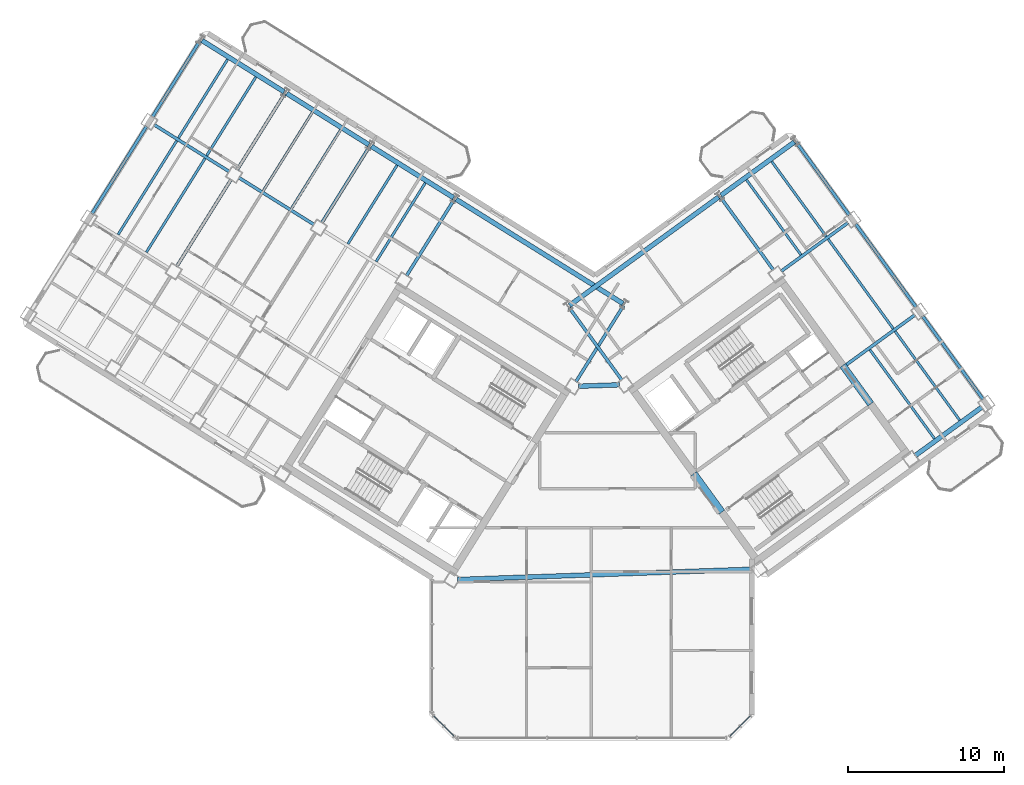
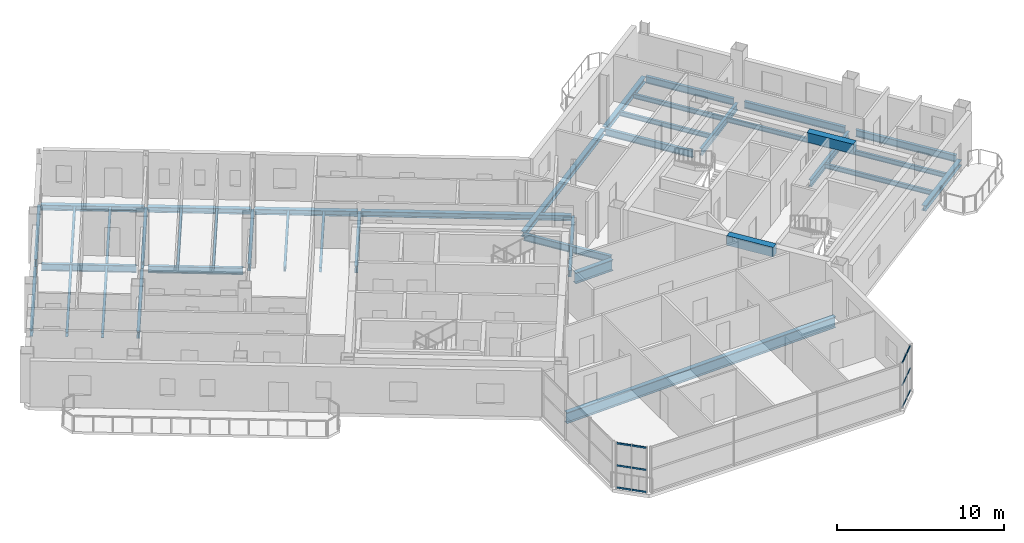
# One storey, part 7 of 20: 40 beams, 12 members, 2 elements without a shape of their own.
"""IFC4 building model written with IfcOpenShell, lengths in metres."""

import ifcopenshell
import ifcopenshell.guid

model = None  # the IFC model being written
_history = None  # IfcOwnerHistory: only IFC2X3 demands one
_inside = {}  # id of a spatial element -> (the spatial element, [elements in it])
_under = {}  # id of a project, library or spatial element -> (it, [spatial elements below it])
_declared = {}  # id of a project -> (the project, [libraries it declares])
_typed = {}  # id of a type object -> (the type object, [elements of that type])
_made_of = {}  # id of a material, layer set ... -> (it, [elements and type objects made of it])


def new_model(schema):
    """Start an empty IFC model of exactly this schema.

    Asked for "IFC4X3", IfcOpenShell would pick the latest addendum, in which some entities
    have other attributes; the version numbers below select the first issue.
    IFC2X3 requires an IfcOwnerHistory on every rooted entity: one is made here for all.
    """
    global model, _history
    if schema == "IFC4X3":
        model = ifcopenshell.file(schema_version=(4, 3, 0, 0))
    else:
        model = ifcopenshell.file(schema=schema)
    _inside.clear()
    _under.clear()
    _declared.clear()
    _typed.clear()
    _made_of.clear()
    _history = None
    if model.schema == "IFC2X3":
        org = make("IfcOrganization", Name="unknown")
        user = make(
            "IfcPersonAndOrganization",
            ThePerson=make("IfcPerson", FamilyName="unknown"),
            TheOrganization=org,
        )
        app = make(
            "IfcApplication",
            ApplicationDeveloper=org,
            Version="unknown",
            ApplicationFullName="unknown",
            ApplicationIdentifier="unknown",
        )
        _history = make(
            "IfcOwnerHistory",
            OwningUser=user,
            OwningApplication=app,
            ChangeAction="ADDED",
            CreationDate=0,
        )
    return model


def make(cls, **values):
    """One entity of the class cls with the attributes given. An attribute that is None is left unset."""
    return model.create_entity(
        cls, **{name: value for name, value in values.items() if value is not None}
    )


def rooted(cls, **values):
    """An entity with a GlobalId (a new one), such as an element, a storey or a relation."""
    return make(cls, GlobalId=ifcopenshell.guid.new(), OwnerHistory=_history, **values)


def si_unit(unit_type, name, prefix=None):
    """IfcSIUnit, for example si_unit("LENGTHUNIT", "METRE", prefix="MILLI")."""
    return make("IfcSIUnit", UnitType=unit_type, Prefix=prefix, Name=name)


def assignment(units):
    """IfcUnitAssignment: the units of a project."""
    return None if units is None else make("IfcUnitAssignment", Units=units)


def point(xyz):
    """IfcCartesianPoint."""
    return None if xyz is None else make("IfcCartesianPoint", Coordinates=xyz)


def direction(xyz):
    """IfcDirection."""
    return None if xyz is None else make("IfcDirection", DirectionRatios=xyz)


def frame(location, z_axis=None, x_axis=None):
    """IfcAxis2Placement3D, a coordinate frame: its origin and axes. An axis left out is left unset."""
    return make(
        "IfcAxis2Placement3D",
        Location=point(location),
        Axis=direction(z_axis),
        RefDirection=direction(x_axis),
    )


def frame_2d(location, x_axis=None):
    """IfcAxis2Placement2D, a coordinate frame in the plane: its origin and x axis."""
    return make(
        "IfcAxis2Placement2D", Location=point(location), RefDirection=direction(x_axis)
    )


def origin():
    """The frame at (0, 0, 0) with its axes left unset."""
    return frame((0.0, 0.0, 0.0))


def origin_2d():
    """The frame at (0, 0) in the plane with its x axis left unset."""
    return frame_2d((0.0, 0.0))


def place(relative_to, where):
    """IfcLocalPlacement: puts the frame where relative to a parent placement (None: the world)."""
    return make(
        "IfcLocalPlacement", PlacementRelTo=relative_to, RelativePlacement=where
    )


def context(
    kind, dimensions, precision=None, world=None, true_north=None, identifier=None
):
    """IfcGeometricRepresentationContext, for example the 3D "Model" context."""
    return make(
        "IfcGeometricRepresentationContext",
        ContextIdentifier=identifier,
        ContextType=kind,
        CoordinateSpaceDimension=dimensions,
        Precision=precision,
        WorldCoordinateSystem=world,
        TrueNorth=true_north,
    )


def subcontext(parent, identifier, kind, view, scale=None):
    """IfcGeometricRepresentationSubContext, for example "Body" below "Model"."""
    return make(
        "IfcGeometricRepresentationSubContext",
        ContextIdentifier=identifier,
        ContextType=kind,
        ParentContext=parent,
        TargetScale=scale,
        TargetView=view,
    )


def project(units=None, contexts=None):
    """IfcProject with its units and contexts."""
    return rooted(
        "IfcProject",
        Name="project",
        RepresentationContexts=contexts,
        UnitsInContext=assignment(units),
    )


def spatial(cls, under=None, at=None, **own):
    """A site, building, storey or space (cls), placed at a placement, below another one or the project."""
    s = rooted(cls, ObjectPlacement=at, **own)
    if under is not None:
        _under.setdefault(under.id(), (under, []))[1].append(s)
    return s


def profile(cls, at=None, kind="AREA", **sizes):
    """A parametric profile (cls). Its sizes go by their IFC names, for example OverallWidth=200.0."""
    return make(cls, ProfileType=kind, Position=at, **sizes)


def rectangle(**sizes):
    """IfcRectangleProfileDef."""
    return profile("IfcRectangleProfileDef", **sizes)


def hollow_rectangle(**sizes):
    """IfcRectangleHollowProfileDef."""
    return profile("IfcRectangleHollowProfileDef", **sizes)


def i_section(**sizes):
    """IfcIShapeProfileDef."""
    return profile("IfcIShapeProfileDef", **sizes)


def extrude(swept, where, along, depth):
    """IfcExtrudedAreaSolid: the profile swept, set in the frame where, extruded along a direction by depth."""
    return make(
        "IfcExtrudedAreaSolid",
        SweptArea=swept,
        Position=where,
        ExtrudedDirection=direction(along),
        Depth=depth,
    )


def shape(context_of_items, identifier, shape_type, items):
    """IfcShapeRepresentation: the items that make up one representation, for example the "Body"."""
    return make(
        "IfcShapeRepresentation",
        ContextOfItems=context_of_items,
        RepresentationIdentifier=identifier,
        RepresentationType=shape_type,
        Items=items,
    )


def source(mapping_origin, context_of_items, identifier, shape_type, items):
    """IfcRepresentationMap: a shape defined once, which mapped items show again and again."""
    return make(
        "IfcRepresentationMap",
        MappingOrigin=mapping_origin,
        MappedRepresentation=shape(context_of_items, identifier, shape_type, items),
    )


def transform(
    local_origin,
    x_axis=None,
    y_axis=None,
    z_axis=None,
    scale=None,
    scale2=None,
    scale3=None,
    uniform=True,
):
    """IfcCartesianTransformationOperator3D, or its non-uniform kind. x_axis, y_axis, z_axis: its Axis1, 2, 3."""
    if uniform:
        return make(
            "IfcCartesianTransformationOperator3D",
            Axis1=direction(x_axis),
            Axis2=direction(y_axis),
            LocalOrigin=point(local_origin),
            Scale=scale,
            Axis3=direction(z_axis),
        )
    return make(
        "IfcCartesianTransformationOperator3DnonUniform",
        Axis1=direction(x_axis),
        Axis2=direction(y_axis),
        LocalOrigin=point(local_origin),
        Scale=scale,
        Axis3=direction(z_axis),
        Scale2=scale2,
        Scale3=scale3,
    )


def mapped(mapping_source, mapping_target):
    """IfcMappedItem: shows the shape of a source again, moved by a transform."""
    return make(
        "IfcMappedItem", MappingSource=mapping_source, MappingTarget=mapping_target
    )


def material(Name=None, Category=None):
    """IfcMaterial."""
    return make("IfcMaterial", Name=Name, Category=Category)


def material_profile(
    of_material, cross_section, Name=None, Category=None, Priority=None
):
    """IfcMaterialProfile: a cross section and its material."""
    return make(
        "IfcMaterialProfile",
        Name=Name,
        Material=of_material,
        Profile=cross_section,
        Priority=Priority,
        Category=Category,
    )


def profile_set(profiles, Name=None, composite=None):
    """IfcMaterialProfileSet."""
    return make(
        "IfcMaterialProfileSet",
        Name=Name,
        MaterialProfiles=profiles,
        CompositeProfile=composite,
    )


def made_of(thing, what):
    """Note that an element or type object is made of a material, layer set ...; save() writes the relation."""
    if what is not None:
        _made_of.setdefault(what.id(), (what, []))[1].append(thing)
    return thing


def type_object(cls, material=None, **own):
    """A type object (cls), such as IfcWallType, which elements share."""
    return made_of(rooted(cls, **own), material)


def element(
    cls,
    number,
    at=None,
    inside=None,
    cuts=None,
    type_object=None,
    material=None,
    context=None,
    identifier="Body",
    shape_type=None,
    held_by="IfcProductDefinitionShape",
    body=None,
    shapes=None,
    **own,
):
    """One element of the class cls, such as IfcWall. Its Tag is "e" and its number.

    at: its placement. inside: the storey or other place that contains it. cuts: it is an
    opening in that element (IfcRelVoidsElement). A single representation is given by context,
    identifier, shape_type and body (its items); several are given by shapes. held_by: the class
    of the entity that holds the representations. save() writes the other relations.
    """
    e = rooted(cls, Tag="e%d" % number, ObjectPlacement=at, **own)
    if body is not None:
        shapes = [shape(context, identifier, shape_type, body)]
    if shapes is not None:
        e.Representation = make(held_by, Representations=shapes)
    if inside is not None:
        _inside.setdefault(inside.id(), (inside, []))[1].append(e)
    if cuts is not None:
        rooted(
            "IfcRelVoidsElement", RelatingBuildingElement=cuts, RelatedOpeningElement=e
        )
    if type_object is not None:
        _typed.setdefault(type_object.id(), (type_object, []))[1].append(e)
    return made_of(e, material)


def aggregate(whole, parts):
    """IfcRelAggregates: a whole, such as a stair, and the parts it consists of."""
    return rooted("IfcRelAggregates", RelatingObject=whole, RelatedObjects=parts)


def save(model, path):
    """Write the relations noted so far, then the file.

    IfcRelAggregates (storeys below a building ...), IfcRelContainedInSpatialStructure (elements
    in a storey), IfcRelDefinesByType, IfcRelAssociatesMaterial and IfcRelDeclares: one each for
    every whole, place, type object, material and project.
    """
    for whole, parts in _under.values():
        aggregate(whole, parts)
    for where, things in _inside.values():
        rooted(
            "IfcRelContainedInSpatialStructure",
            RelatedElements=things,
            RelatingStructure=where,
        )
    for kind, things in _typed.values():
        rooted("IfcRelDefinesByType", RelatedObjects=things, RelatingType=kind)
    for what, things in _made_of.values():
        rooted("IfcRelAssociatesMaterial", RelatedObjects=things, RelatingMaterial=what)
    for by, libraries in _declared.values():
        rooted("IfcRelDeclares", RelatingContext=by, RelatedDefinitions=libraries)
    model.write(path)


model = new_model("IFC4")

# Units and contexts
model_context = context("Model", 3, precision=1e-05, world=origin(), true_north=direction((0.0, 1.0)))
body_context = subcontext(model_context, "Body", "Model", "MODEL_VIEW")
ifc_project = project(units=[si_unit("LENGTHUNIT", "METRE"), si_unit("AREAUNIT", "SQUARE_METRE"), si_unit("VOLUMEUNIT", "CUBIC_METRE"), si_unit("PLANEANGLEUNIT", "RADIAN"), si_unit("MASSUNIT", "GRAM", prefix="KILO")], contexts=[model_context])

# Site, building, storey
site_placement = place(None, origin())
site = spatial("IfcSite", under=ifc_project, at=site_placement, CompositionType="ELEMENT")
building_placement = place(site_placement, origin())
building = spatial("IfcBuilding", under=site, at=building_placement, Name="Tlacorven Tower", CompositionType="ELEMENT")
storey_placement = place(building_placement, frame((0.0, 0.0, 225.60009765625)))
storey = spatial("IfcBuildingStorey", under=building, at=storey_placement, Name="L57", CompositionType="ELEMENT", Elevation=225.60009765625)

# Beams
ifc_material_1 = material(Name="Concrete C60/75", Category="concrete")
ifc_material_profile_1 = material_profile(ifc_material_1, rectangle(XDim=0.449951171875, YDim=0.699951171875, at=origin_2d()), Name="RC 450X700")
ifc_profile_set_1 = profile_set([ifc_material_profile_1], Name="Concrete C60/75")
beam_type_1 = type_object("IfcBeamType", Name="BM-LNT-700", PredefinedType="LINTEL", material=ifc_profile_set_1)
shared_shape_1 = source(origin(), body_context, "Body", "SweptSolid", [
    extrude(rectangle(XDim=0.449951171875, YDim=0.699951171875, at=origin_2d()), origin(), (0.0, 0.0, 1.0), 3.050048828125),
])
for number, where, z_axis, x_axis, name in (
    (1, (50.318359375, 16.416015625, 3.0), (-0.587776590479, 0.80902328748, 0.0), (-0.80902328748, -0.587776590479, 0.0), "L57 E core coupling lintel beam E1"),
    (2, (59.856689453125, 23.345947265625, 3.0), (-0.587776590479, 0.80902328748, 0.0), (-0.80902328748, -0.587776590479, 0.0), "L57 E core coupling lintel beam E2"),
):
    element("IfcBeam", number, at=place(storey_placement, frame(where, z_axis=z_axis, x_axis=x_axis)), inside=storey, type_object=beam_type_1, Name=name, PredefinedType="LINTEL", context=body_context, shape_type="MappedRepresentation", body=[
        mapped(shared_shape_1, transform((0.0, 0.0, 0.0), scale=1.0)),
    ])
ifc_material_2 = material(Name="Steel S355J2", Category="steel")
ifc_material_profile_2 = material_profile(ifc_material_2, i_section(OverallWidth=0.300048828125, OverallDepth=0.800048828125, WebThickness=0.017578125, FlangeThickness=0.032958984375, at=origin_2d()), Name="HEB 800")
ifc_profile_set_2 = profile_set([ifc_material_profile_2], Name="Steel S355J2")
beam_type_2 = type_object("IfcBeamType", Name="BM-POD-800", PredefinedType="BEAM", material=ifc_profile_set_2)
shared_shape_2 = source(origin(), body_context, "Body", "SweptSolid", [
    extrude(i_section(OverallWidth=0.300048828125, OverallDepth=0.800048828125, WebThickness=0.017578125, FlangeThickness=0.032958984375, at=origin_2d()), origin(), (0.0, 0.0, 1.0), 2.642822265625),
])
beam_1_placement = place(storey_placement, frame((41.1328125, 24.480712890625, -0.650146484375), z_axis=(0.999393314814, 0.034828182629, 0.0), x_axis=(-0.034828182629, 0.999393314814, 0.0)))
element("IfcBeam", 3, at=beam_1_placement, inside=storey, type_object=beam_type_2, Name="L57 Knuckle Link Girder 1", PredefinedType="BEAM", context=body_context, shape_type="MappedRepresentation", body=[
    mapped(shared_shape_2, transform((0.0, 0.0, 0.0), scale=1.0)),
])
ifc_material_profile_3 = material_profile(ifc_material_2, i_section(OverallWidth=0.199951171875, OverallDepth=0.5, WebThickness=0.01025390625, FlangeThickness=0.01611328125, at=origin_2d()), Name="IPE 500")
ifc_profile_set_3 = profile_set([ifc_material_profile_3], Name="Steel S355J2")
beam_type_3 = type_object("IfcBeamType", Name="BM-TWR-500", PredefinedType="BEAM", material=ifc_profile_set_3)
shared_shape_3 = source(origin(), body_context, "Body", "SweptSolid", [
    extrude(i_section(OverallWidth=0.199951171875, OverallDepth=0.5, WebThickness=0.01025390625, FlangeThickness=0.01611328125, at=origin_2d()), origin(), (0.0, 0.0, 1.0), 5.7001953125),
])
for number, where, z_axis, x_axis, name in (
    (4, (24.20361328125, 34.828369140625, -0.5), (-0.848056048787, 0.529906537151, 0.0), (-0.529906537151, -0.848056048787, 0.0), "L57 beam BM-L57-WL2-4"),
    (5, (18.776123046875, 38.2197265625, -0.5), (-0.848056048787, 0.529906537151, 0.0), (-0.529906537151, -0.848056048787, 0.0), "L57 beam BM-L57-WL2-5"),
):
    element("IfcBeam", number, at=place(storey_placement, frame(where, z_axis=z_axis, x_axis=x_axis)), inside=storey, type_object=beam_type_3, Name=name, PredefinedType="BEAM", context=body_context, shape_type="MappedRepresentation", body=[
        mapped(shared_shape_3, transform((0.0, 0.0, 0.0), scale=1.0)),
    ])
shared_shape_4 = source(origin(), body_context, "Body", "SweptSolid", [
    extrude(i_section(OverallWidth=0.199951171875, OverallDepth=0.5, WebThickness=0.01025390625, FlangeThickness=0.01611328125, at=origin_2d()), origin(), (0.0, 0.0, 1.0), 5.75),
])
for number, where, z_axis, x_axis, name in (
    (6, (44.015380859375, 29.6416015625, -0.5), (-0.529884439831, -0.848069855864, 0.0), (0.848069855864, -0.529884439831, 0.0), "L57 beam BM-L57-WT1-1"),
    (7, (33.160400390625, 36.424560546875, -0.5), (-0.529884439831, -0.848069855864, 0.0), (0.848069855864, -0.529884439831, 0.0), "L57 beam BM-L57-WT3-1"),
    (8, (27.73291015625, 39.81591796875, -0.5), (-0.529934056882, -0.848038852504, 0.0), (0.848038852504, -0.529934056882, 0.0), "L57 beam BM-L57-WT4-1"),
    (9, (16.8779296875, 46.598876953125, -0.5), (-0.529934056882, -0.848038852504, 0.0), (0.848038852504, -0.529934056882, 0.0), "L57 beam BM-L57-WT6-1"),
    (10, (43.91796875, 24.8681640625, -0.5), (-0.587770208527, 0.809027924097, 0.0), (-0.809027924097, -0.587770208527, 0.0), "L57 beam BM-L57-ET1-2"),
    (11, (53.626220703125, 31.921630859375, -0.5), (-0.587770208527, 0.809027924097, 0.0), (-0.809027924097, -0.587770208527, 0.0), "L57 beam BM-L57-ET3-2"),
    (12, (58.480224609375, 35.4482421875, -0.5), (-0.587770208527, 0.809027924097, 0.0), (-0.809027924097, -0.587770208527, 0.0), "L57 beam BM-L57-ET4-3"),
):
    element("IfcBeam", number, at=place(storey_placement, frame(where, z_axis=z_axis, x_axis=x_axis)), inside=storey, type_object=beam_type_3, Name=name, PredefinedType="BEAM", context=body_context, shape_type="MappedRepresentation", body=[
        mapped(shared_shape_4, transform((0.0, 0.0, 0.0), scale=1.0)),
    ])
shared_shape_5 = source(origin(), body_context, "Body", "SweptSolid", [
    extrude(i_section(OverallWidth=0.199951171875, OverallDepth=0.5, WebThickness=0.01025390625, FlangeThickness=0.01611328125, at=origin_2d()), origin(), (0.0, 0.0, 1.0), 6.599853515625),
])
beam_2_placement = place(storey_placement, frame((13.4599609375, 41.12890625, -0.5), z_axis=(-0.529942412256, -0.848033631227, 0.0), x_axis=(0.848033631227, -0.529942412256, 0.0)))
element("IfcBeam", 13, at=beam_2_placement, inside=storey, type_object=beam_type_3, Name="L57 beam BM-L57-WT6-2", PredefinedType="BEAM", context=body_context, shape_type="MappedRepresentation", body=[
    mapped(shared_shape_5, transform((0.0, 0.0, 0.0), scale=1.0)),
])
shared_shape_6 = source(origin(), body_context, "Body", "SweptSolid", [
    extrude(i_section(OverallWidth=0.199951171875, OverallDepth=0.5, WebThickness=0.01025390625, FlangeThickness=0.01611328125, at=origin_2d()), origin(), (0.0, 0.0, 1.0), 6.60009765625),
])
for number, where, z_axis, x_axis, name in (
    (14, (18.887451171875, 37.737548828125, -0.5), (-0.529925788294, -0.848044019436, 0.0), (0.848044019436, -0.529925788294, 0.0), "L57 beam BM-L57-WT5-2"),
    (15, (67.06201171875, 23.63671875, -0.5), (-0.587780128583, 0.809020716943, 0.0), (-0.809020716943, -0.587780128583, 0.0), "L57 beam BM-L57-ET4-1"),
    (16, (62.771240234375, 29.54248046875, -0.5), (-0.587780128583, 0.809020716943, 0.0), (-0.809020716943, -0.587780128583, 0.0), "L57 beam BM-L57-ET4-2"),
):
    element("IfcBeam", number, at=place(storey_placement, frame(where, z_axis=z_axis, x_axis=x_axis)), inside=storey, type_object=beam_type_3, Name=name, PredefinedType="BEAM", context=body_context, shape_type="MappedRepresentation", body=[
        mapped(shared_shape_6, transform((0.0, 0.0, 0.0), scale=1.0)),
    ])
shared_shape_7 = source(origin(), body_context, "Body", "SweptSolid", [
    extrude(i_section(OverallWidth=0.199951171875, OverallDepth=0.5, WebThickness=0.01025390625, FlangeThickness=0.01611328125, at=origin_2d()), origin(), (0.0, 0.0, 1.0), 5.750244140625),
])
beam_3_placement = place(storey_placement, frame((22.305419921875, 43.20751953125, -0.5), z_axis=(-0.529914976044, -0.848050775699, 0.0), x_axis=(0.848050775699, -0.529914976044, 0.0)))
element("IfcBeam", 17, at=beam_3_placement, inside=storey, type_object=beam_type_3, Name="L57 beam BM-L57-WT5-1", PredefinedType="BEAM", context=body_context, shape_type="MappedRepresentation", body=[
    mapped(shared_shape_7, transform((0.0, 0.0, 0.0), scale=1.0)),
])
shared_shape_8 = source(origin(), body_context, "Body", "SweptSolid", [
    extrude(i_section(OverallWidth=0.199951171875, OverallDepth=0.5, WebThickness=0.01025390625, FlangeThickness=0.01611328125, at=origin_2d()), origin(), (0.0, 0.0, 1.0), 5.300048828125),
])
beam_4_placement = place(storey_placement, frame((54.114990234375, 31.84423828125, -0.5), z_axis=(0.809022830186, 0.587777219904, 0.0), x_axis=(-0.587777219904, 0.809022830186, 0.0)))
element("IfcBeam", 18, at=beam_4_placement, inside=storey, type_object=beam_type_3, Name="L57 beam BM-L57-EL3-3", PredefinedType="BEAM", context=body_context, shape_type="MappedRepresentation", body=[
    mapped(shared_shape_8, transform((0.0, 0.0, 0.0), scale=1.0)),
])
shared_shape_9 = source(origin(), body_context, "Body", "SweptSolid", [
    extrude(i_section(OverallWidth=0.199951171875, OverallDepth=0.5, WebThickness=0.01025390625, FlangeThickness=0.01611328125, at=origin_2d()), origin(), (0.0, 0.0, 1.0), 5.6103515625),
])
beam_5_placement = place(storey_placement, frame((58.155029296875, 25.756103515625, -0.5), z_axis=(0.809020142627, 0.587780919071, 0.0), x_axis=(-0.587780919071, 0.809020142627, 0.0)))
element("IfcBeam", 19, at=beam_5_placement, inside=storey, type_object=beam_type_3, Name="L57 beam BM-L57-EL2-3", PredefinedType="BEAM", context=body_context, shape_type="MappedRepresentation", body=[
    mapped(shared_shape_9, transform((0.0, 0.0, 0.0), scale=1.0)),
])
shared_shape_10 = source(origin(), body_context, "Body", "SweptSolid", [
    extrude(i_section(OverallWidth=0.300048828125, OverallDepth=0.800048828125, WebThickness=0.017578125, FlangeThickness=0.032958984375, at=origin_2d()), origin(), (0.0, 0.0, 1.0), 18.97119140625),
])
beam_6_placement = place(storey_placement, frame((33.39599609375, 12.09912109375, -0.650146484375), z_axis=(0.999390787537, 0.034900627304, 0.0), x_axis=(-0.034900627304, 0.999390787537, 0.0)))
element("IfcBeam", 20, at=beam_6_placement, inside=storey, type_object=beam_type_2, Name="L57 Knuckle Link Girder 2", PredefinedType="BEAM", context=body_context, shape_type="MappedRepresentation", body=[
    mapped(shared_shape_10, transform((0.0, 0.0, 0.0), scale=1.0)),
])
ifc_material_profile_4 = material_profile(ifc_material_2, i_section(OverallWidth=0.159912109375, OverallDepth=0.330078125, WebThickness=0.007568359375, FlangeThickness=0.011474609375, at=origin_2d()), Name="IPE 330")
ifc_profile_set_4 = profile_set([ifc_material_profile_4], Name="Steel S355J2")
beam_type_4 = type_object("IfcBeamType", Name="BM-JST-330", PredefinedType="JOIST", material=ifc_profile_set_4)
shared_shape_11 = source(origin(), body_context, "Body", "SweptSolid", [
    extrude(i_section(OverallWidth=0.159912109375, OverallDepth=0.330078125, WebThickness=0.007568359375, FlangeThickness=0.011474609375, at=origin_2d()), origin(), (0.0, 0.0, 1.0), 7.0400390625),
])
beam_7_placement = place(storey_placement, frame((63.9404296875, 21.127685546875, -0.4150390625), z_axis=(-0.587773661987, 0.809025415098, 0.0), x_axis=(-0.809025415098, -0.587773661987, 0.0)))
element("IfcBeam", 21, at=beam_7_placement, inside=storey, type_object=beam_type_4, Name="L57 beam BM-L57-EJ3-1-1", PredefinedType="JOIST", context=body_context, shape_type="MappedRepresentation", body=[
    mapped(shared_shape_11, transform((0.0, 0.0, 0.0), scale=1.0)),
])
shared_shape_12 = source(origin(), body_context, "Body", "SweptSolid", [
    extrude(i_section(OverallWidth=0.159912109375, OverallDepth=0.330078125, WebThickness=0.007568359375, FlangeThickness=0.011474609375, at=origin_2d()), origin(), (0.0, 0.0, 1.0), 5.940185546875),
])
for number, where, z_axis, x_axis, name in (
    (22, (29.512939453125, 38.638916015625, -0.4150390625), (-0.529902882565, -0.848058332339, 0.0), (0.848058332339, -0.529902882565, 0.0), "L57 beam BM-L57-WJ3-1-2"),
    (23, (25.894775390625, 40.899658203125, -0.4150390625), (-0.529950911506, -0.848028319924, 0.0), (0.848028319924, -0.529950911506, 0.0), "L57 beam BM-L57-WJ4-1-1"),
    (24, (18.657958984375, 45.421875, -0.4150390625), (-0.529902882565, -0.848058332339, 0.0), (0.848058332339, -0.529902882565, 0.0), "L57 beam BM-L57-WJ5-1-2"),
    (25, (55.38818359375, 32.89892578125, -0.4150390625), (-0.587778174144, 0.809022136903, 0.0), (-0.809022136903, -0.587778174144, 0.0), "L57 beam BM-L57-EJ3-3-1"),
    (26, (57.00634765625, 34.074462890625, -0.4150390625), (-0.587778174144, 0.809022136903, 0.0), (-0.809022136903, -0.587778174144, 0.0), "L57 beam BM-L57-EJ3-3-2"),
):
    element("IfcBeam", number, at=place(storey_placement, frame(where, z_axis=z_axis, x_axis=x_axis)), inside=storey, type_object=beam_type_4, Name=name, PredefinedType="JOIST", context=body_context, shape_type="MappedRepresentation", body=[
        mapped(shared_shape_12, transform((0.0, 0.0, 0.0), scale=1.0)),
    ])
shared_shape_13 = source(origin(), body_context, "Body", "SweptSolid", [
    extrude(i_section(OverallWidth=0.159912109375, OverallDepth=0.330078125, WebThickness=0.007568359375, FlangeThickness=0.011474609375, at=origin_2d()), origin(), (0.0, 0.0, 1.0), 7.090087890625),
])
for number, where, z_axis, x_axis, name in (
    (27, (17.208251953125, 39.07568359375, -0.4150390625), (-0.529937035031, -0.848036991471, 0.0), (0.848036991471, -0.529937035031, 0.0), "L57 beam BM-L57-WJ5-2-1"),
    (28, (15.39892578125, 40.206298828125, -0.4150390625), (-0.529912270669, -0.84805246618, 0.0), (0.84805246618, -0.529912270669, 0.0), "L57 beam BM-L57-WJ5-2-2"),
    (29, (61.297119140625, 28.168701171875, -0.4150390625), (-0.587782622309, 0.809018905164, 0.0), (-0.809018905164, -0.587782622309, 0.0), "L57 beam BM-L57-EJ3-2-2"),
):
    element("IfcBeam", number, at=place(storey_placement, frame(where, z_axis=z_axis, x_axis=x_axis)), inside=storey, type_object=beam_type_4, Name=name, PredefinedType="JOIST", context=body_context, shape_type="MappedRepresentation", body=[
        mapped(shared_shape_13, transform((0.0, 0.0, 0.0), scale=1.0)),
    ])
shared_shape_14 = source(origin(), body_context, "Body", "SweptSolid", [
    extrude(i_section(OverallWidth=0.159912109375, OverallDepth=0.330078125, WebThickness=0.007568359375, FlangeThickness=0.011474609375, at=origin_2d()), origin(), (0.0, 0.0, 1.0), 5.93994140625),
])
for number, where, z_axis, x_axis, name in (
    (30, (31.322265625, 37.50830078125, -0.4150390625), (-0.529921352973, -0.848046790963, 0.0), (0.848046790963, -0.529921352973, 0.0), "L57 beam BM-L57-WJ3-1-1"),
    (31, (24.08544921875, 42.0302734375, -0.4150390625), (-0.529921352973, -0.848046790963, 0.0), (0.848046790963, -0.529921352973, 0.0), "L57 beam BM-L57-WJ4-1-2"),
    (32, (20.467041015625, 44.291259765625, -0.4150390625), (-0.529921352973, -0.848046790963, 0.0), (0.848046790963, -0.529921352973, 0.0), "L57 beam BM-L57-WJ5-1-1"),
):
    element("IfcBeam", number, at=place(storey_placement, frame(where, z_axis=z_axis, x_axis=x_axis)), inside=storey, type_object=beam_type_4, Name=name, PredefinedType="JOIST", context=body_context, shape_type="MappedRepresentation", body=[
        mapped(shared_shape_14, transform((0.0, 0.0, 0.0), scale=1.0)),
    ])
shared_shape_15 = source(origin(), body_context, "Body", "SweptSolid", [
    extrude(i_section(OverallWidth=0.159912109375, OverallDepth=0.330078125, WebThickness=0.007568359375, FlangeThickness=0.011474609375, at=origin_2d()), origin(), (0.0, 0.0, 1.0), 7.039794921875),
])
beam_8_placement = place(storey_placement, frame((65.55859375, 22.303466796875, -0.4150390625), z_axis=(-0.587790152999, 0.809013433781, 0.0), x_axis=(-0.809013433781, -0.587790152999, 0.0)))
element("IfcBeam", 33, at=beam_8_placement, inside=storey, type_object=beam_type_4, Name="L57 beam BM-L57-EJ3-1-2", PredefinedType="JOIST", context=body_context, shape_type="MappedRepresentation", body=[
    mapped(shared_shape_15, transform((0.0, 0.0, 0.0), scale=1.0)),
])
ifc_material_profile_5 = material_profile(ifc_material_2, i_section(OverallWidth=0.300048828125, OverallDepth=0.389892578125, WebThickness=0.010986328125, FlangeThickness=0.01904296875, at=origin_2d()), Name="HEA 400")
ifc_profile_set_5 = profile_set([ifc_material_profile_5], Name="Steel S355J2")
beam_type_5 = type_object("IfcBeamType", Name="BM-SPN-400", PredefinedType="SPANDREL", material=ifc_profile_set_5)
shared_shape_16 = source(origin(), body_context, "Body", "SweptSolid", [
    extrude(i_section(OverallWidth=0.300048828125, OverallDepth=0.389892578125, WebThickness=0.010986328125, FlangeThickness=0.01904296875, at=origin_2d()), origin(), (0.0, 0.0, 1.0), 12.599853515625),
])
beam_9_placement = place(storey_placement, frame((43.983642578125, 29.779296875, -0.445068359375), z_axis=(-0.848045108756, 0.529924045043, 0.0), x_axis=(-0.529924045043, -0.848045108756, 0.0)))
element("IfcBeam", 34, at=beam_9_placement, inside=storey, type_object=beam_type_5, Name="L57 beam BM-L57-WL1-1", PredefinedType="SPANDREL", context=body_context, shape_type="MappedRepresentation", body=[
    mapped(shared_shape_16, transform((0.0, 0.0, 0.0), scale=1.0)),
])
shared_shape_17 = source(origin(), body_context, "Body", "SweptSolid", [
    extrude(i_section(OverallWidth=0.300048828125, OverallDepth=0.389892578125, WebThickness=0.010986328125, FlangeThickness=0.01904296875, at=origin_2d()), origin(), (0.0, 0.0, 1.0), 6.199951171875),
])
beam_10_placement = place(storey_placement, frame((33.128662109375, 36.562255859375, -0.445068359375), z_axis=(-0.848051394107, 0.529913986372, 0.0), x_axis=(-0.529913986372, -0.848051394107, 0.0)))
element("IfcBeam", 35, at=beam_10_placement, inside=storey, type_object=beam_type_5, Name="L57 beam BM-L57-WL1-3", PredefinedType="SPANDREL", context=body_context, shape_type="MappedRepresentation", body=[
    mapped(shared_shape_17, transform((0.0, 0.0, 0.0), scale=1.0)),
])
shared_shape_18 = source(origin(), body_context, "Body", "SweptSolid", [
    extrude(i_section(OverallWidth=0.300048828125, OverallDepth=0.389892578125, WebThickness=0.010986328125, FlangeThickness=0.01904296875, at=origin_2d()), origin(), (0.0, 0.0, 1.0), 6.2001953125),
])
for number, where, z_axis, x_axis, name in (
    (36, (27.701171875, 39.95361328125, -0.445068359375), (-0.84804475579, 0.5299246099, 0.0), (-0.5299246099, -0.84804475579, 0.0), "L57 beam BM-L57-WL1-4"),
    (37, (22.273681640625, 43.34521484375, -0.445068359375), (-0.848062451332, 0.529896290457, 0.0), (-0.529896290457, -0.848062451332, 0.0), "L57 beam BM-L57-WL1-5"),
):
    element("IfcBeam", number, at=place(storey_placement, frame(where, z_axis=z_axis, x_axis=x_axis)), inside=storey, type_object=beam_type_5, Name=name, PredefinedType="SPANDREL", context=body_context, shape_type="MappedRepresentation", body=[
        mapped(shared_shape_18, transform((0.0, 0.0, 0.0), scale=1.0)),
    ])
shared_shape_19 = source(origin(), body_context, "Body", "SweptSolid", [
    extrude(i_section(OverallWidth=0.300048828125, OverallDepth=0.389892578125, WebThickness=0.010986328125, FlangeThickness=0.01904296875, at=origin_2d()), origin(), (0.0, 0.0, 1.0), 5.300048828125),
])
beam_11_placement = place(storey_placement, frame((62.69677734375, 20.032470703125, -0.445068359375), z_axis=(0.809022830186, 0.587777219904, 0.0), x_axis=(-0.587777219904, 0.809022830186, 0.0)))
element("IfcBeam", 38, at=beam_11_placement, inside=storey, type_object=beam_type_5, Name="L57 beam BM-L57-EL1-3", PredefinedType="SPANDREL", context=body_context, shape_type="MappedRepresentation", body=[
    mapped(shared_shape_19, transform((0.0, 0.0, 0.0), scale=1.0)),
])
shared_shape_20 = source(origin(), body_context, "Body", "SweptSolid", [
    extrude(i_section(OverallWidth=0.300048828125, OverallDepth=0.389892578125, WebThickness=0.010986328125, FlangeThickness=0.01904296875, at=origin_2d()), origin(), (0.0, 0.0, 1.0), 11.800048828125),
])
beam_12_placement = place(storey_placement, frame((40.560302734375, 29.65966796875, -0.445068359375), z_axis=(0.80900977213, 0.587795192732, 0.0), x_axis=(-0.587795192732, 0.80900977213, 0.0)))
element("IfcBeam", 39, at=beam_12_placement, inside=storey, type_object=beam_type_5, Name="L57 beam BM-L57-EL4-1", PredefinedType="SPANDREL", context=body_context, shape_type="MappedRepresentation", body=[
    mapped(shared_shape_20, transform((0.0, 0.0, 0.0), scale=1.0)),
])
shared_shape_21 = source(origin(), body_context, "Body", "SweptSolid", [
    extrude(i_section(OverallWidth=0.300048828125, OverallDepth=0.389892578125, WebThickness=0.010986328125, FlangeThickness=0.01904296875, at=origin_2d()), origin(), (0.0, 0.0, 1.0), 5.800048828125),
])
beam_13_placement = place(storey_placement, frame((50.2685546875, 36.713134765625, -0.445068359375), z_axis=(0.809019944521, 0.587781191743, 0.0), x_axis=(-0.587781191743, 0.809019944521, 0.0)))
element("IfcBeam", 40, at=beam_13_placement, inside=storey, type_object=beam_type_5, Name="L57 beam BM-L57-EL4-3", PredefinedType="SPANDREL", context=body_context, shape_type="MappedRepresentation", body=[
    mapped(shared_shape_21, transform((0.0, 0.0, 0.0), scale=1.0)),
])

# Curtain wall, members
ifc_material_3 = material(Name="Dark solar low-E double glazing in aluminium frame", Category="aluminium")
curtain_wall_type = type_object("IfcCurtainWallType", Name="CW-TWR-HIGH", PredefinedType="USERDEFINED", material=ifc_material_3)
curtain_wall_1_placement = place(storey_placement, origin())
curtain_wall_1 = element("IfcCurtainWall", 41, at=curtain_wall_1_placement, inside=storey, type_object=curtain_wall_type, Name="L57 CW-TWR-HIGH Curtain Wall 257", ObjectType="UNITISED CURTAIN WALL", PredefinedType="USERDEFINED")
ifc_material_4 = material(Name="Aluminium 6063-T6 anodised", Category="aluminium")
ifc_material_profile_6 = material_profile(ifc_material_4, hollow_rectangle(XDim=0.054931640625, YDim=0.1201171875, WallThickness=0.00341796875, at=origin_2d()), Name="ALU TRANSOM 55X120")
ifc_profile_set_6 = profile_set([ifc_material_profile_6], Name="Aluminium 6063-T6 anodised")
member_type = type_object("IfcMemberType", Name="CWT-03", PredefinedType="USERDEFINED", material=ifc_profile_set_6)
shared_shape_22 = source(origin(), body_context, "Body", "SweptSolid", [
    extrude(hollow_rectangle(XDim=0.054931640625, YDim=0.1201171875, WallThickness=0.00341796875, at=origin_2d()), origin(), (0.0, 0.0, 1.0), 0.899169921875),
])
member_1_placement = place(storey_placement, frame((52.13525390625, 3.361572265625, 0.059814453125), z_axis=(-0.707106781187, -0.707106781187, 0.0), x_axis=(0.707106781187, -0.707106781187, 0.0)))
member_1 = element("IfcMember", 42, at=member_1_placement, type_object=member_type, Name="CW-L57-257 Transom 1", ObjectType="TRANSOM", PredefinedType="USERDEFINED", context=body_context, shape_type="MappedRepresentation", body=[
    mapped(shared_shape_22, transform((0.0, 0.0, 0.0), scale=1.0)),
])
member_2_placement = place(storey_placement, frame((52.13525390625, 3.361572265625, 1.6748046875), z_axis=(-0.707106781187, -0.707106781187, 0.0), x_axis=(0.707106781187, -0.707106781187, 0.0)))
member_2 = element("IfcMember", 43, at=member_2_placement, type_object=member_type, Name="CW-L57-257 Transom 2", ObjectType="TRANSOM", PredefinedType="USERDEFINED", context=body_context, shape_type="MappedRepresentation", body=[
    mapped(shared_shape_22, transform((0.0, 0.0, 0.0), scale=1.0)),
])
member_3_placement = place(storey_placement, frame((52.13525390625, 3.361572265625, 3.289794921875), z_axis=(-0.707106781187, -0.707106781187, 0.0), x_axis=(0.707106781187, -0.707106781187, 0.0)))
member_3 = element("IfcMember", 44, at=member_3_placement, type_object=member_type, Name="CW-L57-257 Transom 3", ObjectType="TRANSOM", PredefinedType="USERDEFINED", context=body_context, shape_type="MappedRepresentation", body=[
    mapped(shared_shape_22, transform((0.0, 0.0, 0.0), scale=1.0)),
])
member_4_placement = place(storey_placement, frame((51.47412109375, 2.700439453125, 0.059814453125), z_axis=(-0.707106781187, -0.707106781187, 0.0), x_axis=(0.707106781187, -0.707106781187, 0.0)))
member_4 = element("IfcMember", 45, at=member_4_placement, type_object=member_type, Name="CW-L57-257 Transom 4", ObjectType="TRANSOM", PredefinedType="USERDEFINED", context=body_context, shape_type="MappedRepresentation", body=[
    mapped(shared_shape_22, transform((0.0, 0.0, 0.0), scale=1.0)),
])
member_5_placement = place(storey_placement, frame((51.47412109375, 2.700439453125, 1.6748046875), z_axis=(-0.707106781187, -0.707106781187, 0.0), x_axis=(0.707106781187, -0.707106781187, 0.0)))
member_5 = element("IfcMember", 46, at=member_5_placement, type_object=member_type, Name="CW-L57-257 Transom 5", ObjectType="TRANSOM", PredefinedType="USERDEFINED", context=body_context, shape_type="MappedRepresentation", body=[
    mapped(shared_shape_22, transform((0.0, 0.0, 0.0), scale=1.0)),
])
member_6_placement = place(storey_placement, frame((51.47412109375, 2.700439453125, 3.289794921875), z_axis=(-0.707106781187, -0.707106781187, 0.0), x_axis=(0.707106781187, -0.707106781187, 0.0)))
member_6 = element("IfcMember", 47, at=member_6_placement, type_object=member_type, Name="CW-L57-257 Transom 6", ObjectType="TRANSOM", PredefinedType="USERDEFINED", context=body_context, shape_type="MappedRepresentation", body=[
    mapped(shared_shape_22, transform((0.0, 0.0, 0.0), scale=1.0)),
])
aggregate(curtain_wall_1, [member_1, member_2, member_3, member_4, member_5, member_6])

curtain_wall_2_placement = place(storey_placement, origin())
curtain_wall_2 = element("IfcCurtainWall", 48, at=curtain_wall_2_placement, inside=storey, type_object=curtain_wall_type, Name="L57 CW-TWR-HIGH Curtain Wall 259", ObjectType="UNITISED CURTAIN WALL", PredefinedType="USERDEFINED")
member_7_placement = place(storey_placement, frame((33.16162109375, 2.064697265625, 0.059814453125), z_axis=(-0.707106781187, 0.707106781187, 0.0), x_axis=(-0.707106781187, -0.707106781187, 0.0)))
member_7 = element("IfcMember", 49, at=member_7_placement, type_object=member_type, Name="CW-L57-259 Transom 1", ObjectType="TRANSOM", PredefinedType="USERDEFINED", context=body_context, shape_type="MappedRepresentation", body=[
    mapped(shared_shape_22, transform((0.0, 0.0, 0.0), scale=1.0)),
])
member_8_placement = place(storey_placement, frame((33.16162109375, 2.064697265625, 1.6748046875), z_axis=(-0.707106781187, 0.707106781187, 0.0), x_axis=(-0.707106781187, -0.707106781187, 0.0)))
member_8 = element("IfcMember", 50, at=member_8_placement, type_object=member_type, Name="CW-L57-259 Transom 2", ObjectType="TRANSOM", PredefinedType="USERDEFINED", context=body_context, shape_type="MappedRepresentation", body=[
    mapped(shared_shape_22, transform((0.0, 0.0, 0.0), scale=1.0)),
])
member_9_placement = place(storey_placement, frame((33.16162109375, 2.064697265625, 3.289794921875), z_axis=(-0.707106781187, 0.707106781187, 0.0), x_axis=(-0.707106781187, -0.707106781187, 0.0)))
member_9 = element("IfcMember", 51, at=member_9_placement, type_object=member_type, Name="CW-L57-259 Transom 3", ObjectType="TRANSOM", PredefinedType="USERDEFINED", context=body_context, shape_type="MappedRepresentation", body=[
    mapped(shared_shape_22, transform((0.0, 0.0, 0.0), scale=1.0)),
])
member_10_placement = place(storey_placement, frame((32.50048828125, 2.725830078125, 0.059814453125), z_axis=(-0.707106781187, 0.707106781187, 0.0), x_axis=(-0.707106781187, -0.707106781187, 0.0)))
member_10 = element("IfcMember", 52, at=member_10_placement, type_object=member_type, Name="CW-L57-259 Transom 4", ObjectType="TRANSOM", PredefinedType="USERDEFINED", context=body_context, shape_type="MappedRepresentation", body=[
    mapped(shared_shape_22, transform((0.0, 0.0, 0.0), scale=1.0)),
])
member_11_placement = place(storey_placement, frame((32.50048828125, 2.725830078125, 1.6748046875), z_axis=(-0.707106781187, 0.707106781187, 0.0), x_axis=(-0.707106781187, -0.707106781187, 0.0)))
member_11 = element("IfcMember", 53, at=member_11_placement, type_object=member_type, Name="CW-L57-259 Transom 5", ObjectType="TRANSOM", PredefinedType="USERDEFINED", context=body_context, shape_type="MappedRepresentation", body=[
    mapped(shared_shape_22, transform((0.0, 0.0, 0.0), scale=1.0)),
])
member_12_placement = place(storey_placement, frame((32.50048828125, 2.725830078125, 3.289794921875), z_axis=(-0.707106781187, 0.707106781187, 0.0), x_axis=(-0.707106781187, -0.707106781187, 0.0)))
member_12 = element("IfcMember", 54, at=member_12_placement, type_object=member_type, Name="CW-L57-259 Transom 6", ObjectType="TRANSOM", PredefinedType="USERDEFINED", context=body_context, shape_type="MappedRepresentation", body=[
    mapped(shared_shape_22, transform((0.0, 0.0, 0.0), scale=1.0)),
])
aggregate(curtain_wall_2, [member_7, member_8, member_9, member_10, member_11, member_12])

save(model, "model.ifc")
